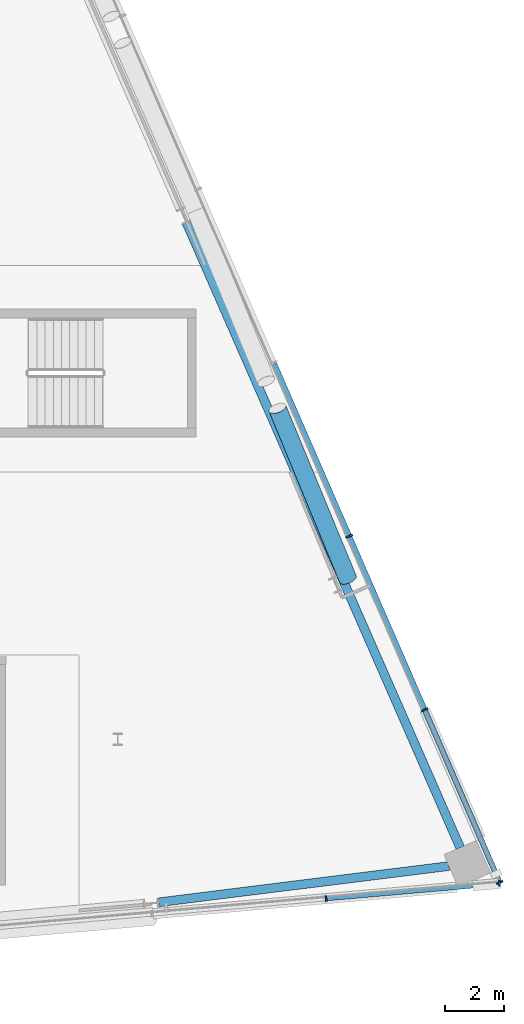
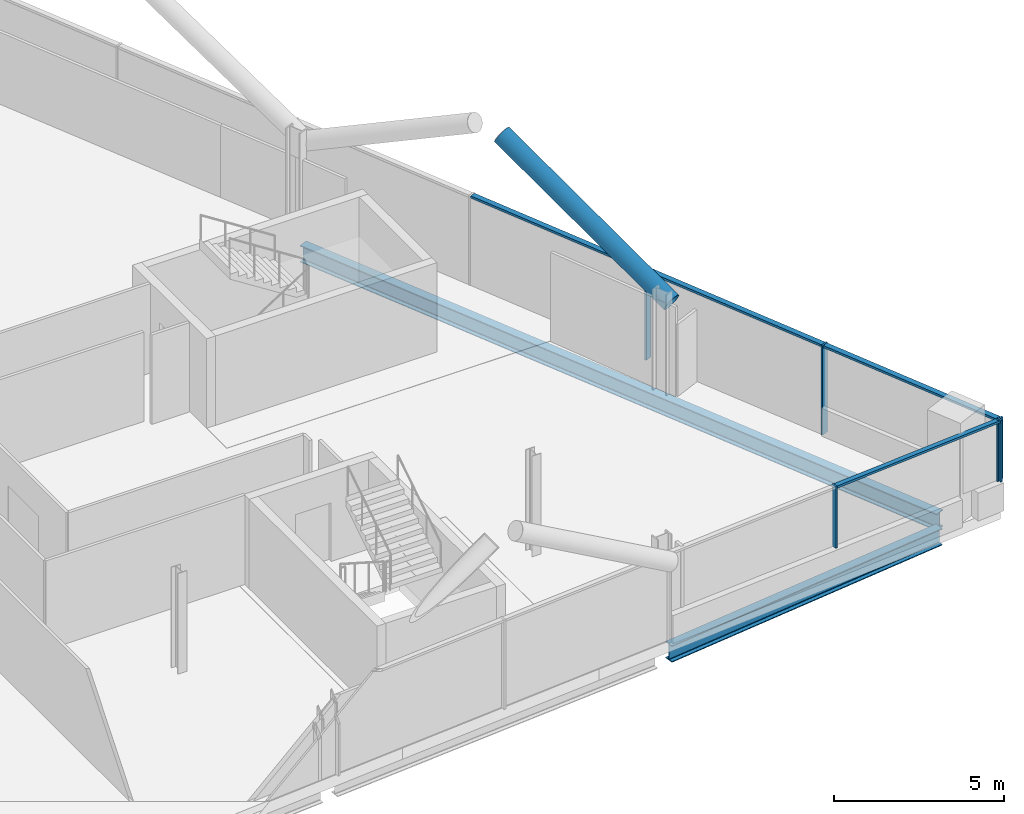
# One storey, part 12 of 25: 10 members, 2 beams, 2 elements without a shape of their own.
"""IFC4 building model written with IfcOpenShell, lengths in metres."""

from ifc_helpers import new_model, si_unit, direction, frame, origin, origin_2d, place, context, subcontext, project, spatial, rectangle, hollow_circle, i_section, extrude, material, material_profile, profile_set, type_object, element, aggregate, save


model = new_model("IFC4")

# Units and contexts
model_context = context("Model", 3, precision=1e-05, world=origin(), true_north=direction((0.0, 1.0)))
body_context = subcontext(model_context, "Body", "Model", "MODEL_VIEW")
ifc_project = project(units=[si_unit("LENGTHUNIT", "METRE"), si_unit("AREAUNIT", "SQUARE_METRE"), si_unit("VOLUMEUNIT", "CUBIC_METRE"), si_unit("PLANEANGLEUNIT", "RADIAN"), si_unit("MASSUNIT", "GRAM", prefix="KILO")], contexts=[model_context])

# Site, building, storey
site_placement = place(None, origin())
site = spatial("IfcSite", under=ifc_project, at=site_placement, CompositionType="ELEMENT")
building_placement = place(site_placement, origin())
building = spatial("IfcBuilding", under=site, at=building_placement, Name="Wharfspan Tower", CompositionType="ELEMENT")
storey_placement = place(building_placement, frame((0.0, 0.0, 232.300049)))
storey = spatial("IfcBuildingStorey", under=building, at=storey_placement, Name="L58", CompositionType="ELEMENT", Elevation=232.300049)

# Beams
ifc_material_1 = material(Name="Steel S355J2", Category="steel")
ifc_material_profile_1 = material_profile(ifc_material_1, i_section(OverallWidth=0.300049, OverallDepth=0.600098, WebThickness=0.015381, FlangeThickness=0.030029, FilletRadius=0.0271, at=origin_2d()))
ifc_profile_set_1 = profile_set([ifc_material_profile_1], Name="Steel S355J2")
beam_type = type_object("IfcBeamType", Name="Edge beam HEB 600", PredefinedType="SPANDREL", material=ifc_profile_set_1)
beam_1_placement = place(storey_placement, frame((73.391602, 5.955322, -0.699951), z_axis=(0.992301, 0.123848, 0.0), x_axis=(-0.123848, 0.992301, 0.0)))
element("IfcBeam", 1, at=beam_1_placement, inside=storey, type_object=beam_type, Name="Edge beam S2 L58 PS2.2 to MC4", PredefinedType="SPANDREL", context=body_context, shape_type="SweptSolid", body=[
    extrude(i_section(OverallWidth=0.300049, OverallDepth=0.600098, WebThickness=0.015381, FlangeThickness=0.030029, FilletRadius=0.0271, at=origin_2d()), origin(), (0.0, 0.0, 1.0), 9.951172),
])
beam_2_placement = place(storey_placement, frame((83.643799, 7.810547, -0.699951), z_axis=(-0.401141, 0.916016, 0.0), x_axis=(-0.916016, -0.401141, 0.0)))
element("IfcBeam", 2, at=beam_2_placement, inside=storey, type_object=beam_type, Name="Edge beam E L58 MC4 to PE.2", PredefinedType="SPANDREL", context=body_context, shape_type="SweptSolid", body=[
    extrude(i_section(OverallWidth=0.300049, OverallDepth=0.600098, WebThickness=0.015381, FlangeThickness=0.030029, FilletRadius=0.0271, at=origin_2d()), origin(), (0.0, 0.0, 1.0), 23.196045),
])

# Curtain wall, members
ifc_material_2 = material(Name="Aluminium 6063-T6", Category="aluminium")
curtain_wall_type_1 = type_object("IfcCurtainWallType", Name="CURTAIN WALL FACETED FRONT", PredefinedType="NOTDEFINED", material=ifc_material_2)
curtain_wall_1_placement = place(storey_placement, origin())
curtain_wall_1 = element("IfcCurtainWall", 3, at=curtain_wall_1_placement, inside=storey, type_object=curtain_wall_type_1, Name="Curtain wall S2", PredefinedType="NOTDEFINED")
ifc_material_profile_2 = material_profile(ifc_material_2, rectangle(XDim=0.199951, YDim=0.060059, at=origin_2d()))
ifc_profile_set_2 = profile_set([ifc_material_profile_2], Name="Aluminium 6063-T6")
member_type_1 = type_object("IfcMemberType", Name="MULLION FACETED FRONT 60x200", PredefinedType="MULLION", material=ifc_profile_set_2)
member_1_placement = place(storey_placement, frame((79.083252, 6.082275, 1.0), z_axis=(0.0, 0.0, 1.0), x_axis=(-0.087156, 0.996197, 0.0)))
member_1 = element("IfcMember", 4, at=member_1_placement, type_object=member_type_1, Name="Curtain wall S2 mullion 6", PredefinedType="MULLION", context=body_context, shape_type="SweptSolid", body=[
    extrude(rectangle(XDim=0.199951, YDim=0.060059, at=origin_2d()), origin(), (0.0, 0.0, 1.0), 2.199951),
])
member_2_placement = place(storey_placement, frame((84.970215, 6.597412, 1.0), z_axis=(0.0, 0.0, 1.0), x_axis=(-0.087156, 0.996197, 0.0)))
member_2 = element("IfcMember", 5, at=member_2_placement, type_object=member_type_1, Name="Curtain wall S2 mullion 7", PredefinedType="MULLION", context=body_context, shape_type="SweptSolid", body=[
    extrude(rectangle(XDim=0.199951, YDim=0.060059, at=origin_2d()), origin(), (0.0, 0.0, 1.0), 2.199951),
])

curtain_wall_type_2 = type_object("IfcCurtainWallType", Name="CURTAIN WALL PROW AND END", PredefinedType="NOTDEFINED", material=ifc_material_2)
curtain_wall_2_placement = place(storey_placement, origin())
curtain_wall_2 = element("IfcCurtainWall", 6, at=curtain_wall_2_placement, inside=storey, type_object=curtain_wall_type_2, Name="Curtain wall E", PredefinedType="NOTDEFINED")
ifc_material_profile_3 = material_profile(ifc_material_2, rectangle(XDim=0.23999, YDim=0.060059, at=origin_2d()))
ifc_profile_set_3 = profile_set([ifc_material_profile_3], Name="Aluminium 6063-T6")
member_type_2 = type_object("IfcMemberType", Name="MULLION PROW AND END 60x240", PredefinedType="MULLION", material=ifc_profile_set_3)
member_3_placement = place(storey_placement, frame((84.988037, 6.627441, 1.0), z_axis=(0.0, 0.0, 1.0), x_axis=(-0.917072, -0.398727, 0.0)))
member_3 = element("IfcMember", 7, at=member_3_placement, type_object=member_type_2, Name="Curtain wall E mullion 1", PredefinedType="MULLION", context=body_context, shape_type="SweptSolid", body=[
    extrude(rectangle(XDim=0.23999, YDim=0.060059, at=origin_2d()), origin(), (0.0, 0.0, 1.0), 2.199951),
])
member_4_placement = place(storey_placement, frame((82.434814, 12.5, 0.0), z_axis=(0.0, 0.0, 1.0), x_axis=(-0.917072, -0.398727, 0.0)))
member_4 = element("IfcMember", 8, at=member_4_placement, type_object=member_type_2, Name="Curtain wall E mullion 2", PredefinedType="MULLION", context=body_context, shape_type="SweptSolid", body=[
    extrude(rectangle(XDim=0.23999, YDim=0.060059, at=origin_2d()), origin(), (0.0, 0.0, 1.0), 3.199951),
])
member_5_placement = place(storey_placement, frame((79.869629, 18.399902, 0.0), z_axis=(0.0, 0.0, 1.0), x_axis=(-0.917072, -0.398727, 0.0)))
member_5 = element("IfcMember", 9, at=member_5_placement, type_object=member_type_2, Name="Curtain wall E mullion 3", PredefinedType="MULLION", context=body_context, shape_type="SweptSolid", body=[
    extrude(rectangle(XDim=0.23999, YDim=0.060059, at=origin_2d()), origin(), (0.0, 0.0, 1.0), 3.199951),
])

# Member
ifc_material_3 = material(Name="Steel S460NH", Category="steel")
ifc_material_profile_4 = material_profile(ifc_material_3, hollow_circle(Radius=0.304932, WallThickness=0.024902, at=origin_2d()))
ifc_profile_set_4 = profile_set([ifc_material_profile_4], Name="Steel S460NH")
member_type_3 = type_object("IfcMemberType", Name="Mega brace CHS 610x25", PredefinedType="BRACE", material=ifc_profile_set_4)
member_6_placement = place(storey_placement, frame((79.826904, 16.943115, 2.899902), z_axis=(-0.337042, 0.816355, 0.469007), x_axis=(-0.924324, -0.381616, -4e-06)))
element("IfcMember", 10, at=member_6_placement, inside=storey, type_object=member_type_3, Name="Mega brace E5 L59 part 1", PredefinedType="BRACE", context=body_context, shape_type="SweptSolid", body=[
    extrude(hollow_circle(Radius=0.304932, WallThickness=0.024902, at=origin_2d()), origin(), (0.0, 0.0, 1.0), 7.105957),
])

ifc_material_profile_5 = material_profile(ifc_material_2, rectangle(XDim=0.159912, YDim=0.080078, at=origin_2d()))
ifc_profile_set_5 = profile_set([ifc_material_profile_5], Name="Aluminium 6063-T6")
member_type_4 = type_object("IfcMemberType", Name="TRANSOM FACETED FRONT 80x160", PredefinedType="USERDEFINED", material=ifc_profile_set_5)
member_7_placement = place(storey_placement, frame((79.113281, 6.084961, 3.159912), z_axis=(0.996195, 0.087152, 0.0), x_axis=(-0.087152, 0.996195, 0.0)))
member_7 = element("IfcMember", 11, at=member_7_placement, type_object=member_type_4, Name="Curtain wall S2 transom 6", ObjectType="TRANSOM", PredefinedType="USERDEFINED", context=body_context, shape_type="SweptSolid", body=[
    extrude(rectangle(XDim=0.159912, YDim=0.080078, at=origin_2d()), origin(), (0.0, 0.0, 1.0), 5.849121),
])

aggregate(curtain_wall_1, [member_1, member_2, member_7])

ifc_material_profile_6 = material_profile(ifc_material_2, rectangle(XDim=0.179932, YDim=0.080078, at=origin_2d()))
ifc_profile_set_6 = profile_set([ifc_material_profile_6], Name="Aluminium 6063-T6")
member_type_5 = type_object("IfcMemberType", Name="TRANSOM PROW AND END 80x180", PredefinedType="USERDEFINED", material=ifc_profile_set_6)
member_8_placement = place(storey_placement, frame((84.976074, 6.655029, 3.159912), z_axis=(-0.398726, 0.91707, 0.0), x_axis=(-0.91707, -0.398726, 0.0)))
member_8 = element("IfcMember", 12, at=member_8_placement, type_object=member_type_5, Name="Curtain wall E transom 1", ObjectType="TRANSOM", PredefinedType="USERDEFINED", context=body_context, shape_type="SweptSolid", body=[
    extrude(rectangle(XDim=0.179932, YDim=0.080078, at=origin_2d()), origin(), (0.0, 0.0, 1.0), 6.343506),
])

member_9_placement = place(storey_placement, frame((82.422852, 12.527588, 3.159912), z_axis=(-0.398722, 0.917072, 0.0), x_axis=(-0.917072, -0.398722, 0.0)))
member_9 = element("IfcMember", 13, at=member_9_placement, type_object=member_type_5, Name="Curtain wall E transom 2", ObjectType="TRANSOM", PredefinedType="USERDEFINED", context=body_context, shape_type="SweptSolid", body=[
    extrude(rectangle(XDim=0.179932, YDim=0.080078, at=origin_2d()), origin(), (0.0, 0.0, 1.0), 6.373535),
])

member_10_placement = place(storey_placement, frame((79.857666, 18.42749, 3.159912), z_axis=(-0.398722, 0.917072, 0.0), x_axis=(-0.917072, -0.398722, 0.0)))
member_10 = element("IfcMember", 14, at=member_10_placement, type_object=member_type_5, Name="Curtain wall E transom 3", ObjectType="TRANSOM", PredefinedType="USERDEFINED", context=body_context, shape_type="SweptSolid", body=[
    extrude(rectangle(XDim=0.179932, YDim=0.080078, at=origin_2d()), origin(), (0.0, 0.0, 1.0), 6.373535),
])

aggregate(curtain_wall_2, [member_3, member_4, member_5, member_8, member_9, member_10])

save(model, "model.ifc")
